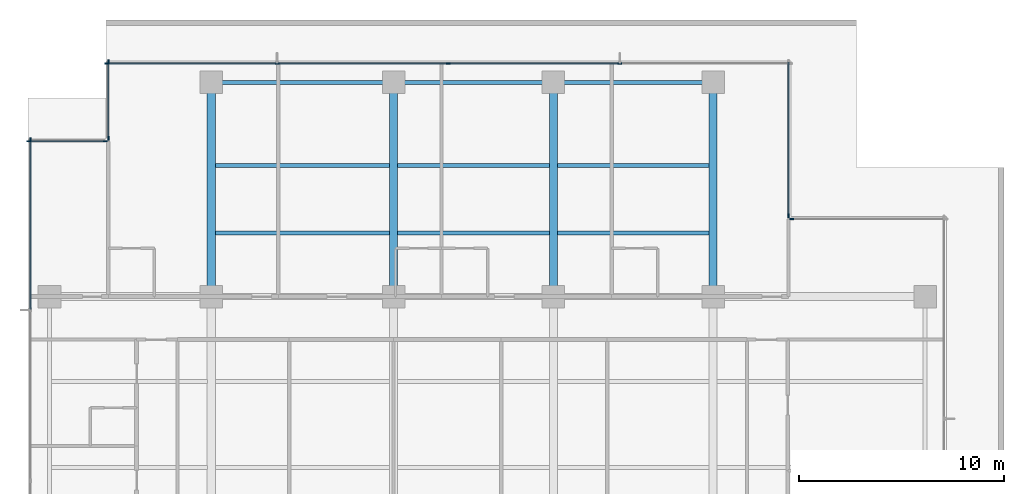
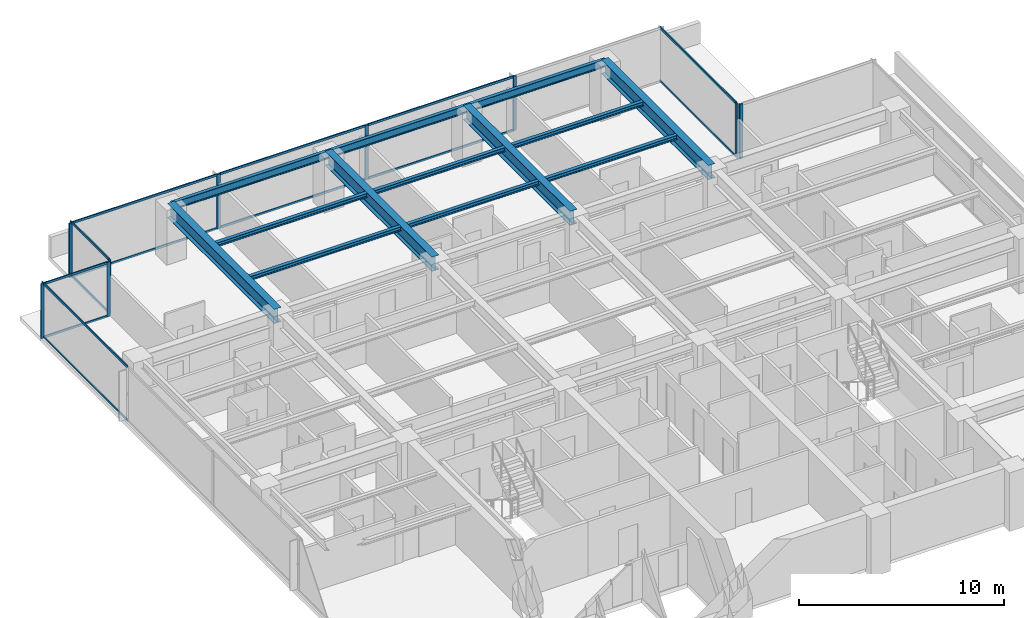
# One storey, part 4 of 16: 25 members, 13 beams, 6 elements without a shape of their own.
"""IFC4 building model written with IfcOpenShell, lengths in metres."""

from ifc_helpers import new_model, si_unit, direction, frame, origin, origin_2d, place, context, subcontext, project, spatial, rectangle, i_section, extrude, material, layer, layer_set, material_profile, profile_set, type_object, element, aggregate, save


model = new_model("IFC4")

# Units and contexts
model_context = context("Model", 3, precision=1e-05, world=origin(), true_north=direction((0.0, 1.0)))
body_context = subcontext(model_context, "Body", "Model", "MODEL_VIEW")
ifc_project = project(units=[si_unit("LENGTHUNIT", "METRE"), si_unit("AREAUNIT", "SQUARE_METRE"), si_unit("VOLUMEUNIT", "CUBIC_METRE"), si_unit("PLANEANGLEUNIT", "RADIAN"), si_unit("MASSUNIT", "GRAM", prefix="KILO")], contexts=[model_context])

# Site, building, storey
site_placement = place(None, origin())
site = spatial("IfcSite", under=ifc_project, at=site_placement, CompositionType="ELEMENT")
building_placement = place(site_placement, origin())
building = spatial("IfcBuilding", under=site, at=building_placement, Name="Qalmaran Belvedere Hotel", CompositionType="ELEMENT")
storey_placement = place(building_placement, frame((0.0, 0.0, 138.60009765625)))
storey = spatial("IfcBuildingStorey", under=building, at=storey_placement, Name="L34", CompositionType="ELEMENT", Elevation=138.60009765625)

# Beams
ifc_material_1 = material(Name="Steel S355JR", Category="steel")
ifc_material_profile_1 = material_profile(ifc_material_1, i_section(OverallWidth=0.201904296875, OverallDepth=0.2470703125, WebThickness=0.00732421875, FlangeThickness=0.010986328125, FilletRadius=0.011962890625, at=origin_2d()), Name="W250X49")
ifc_profile_set_1 = profile_set([ifc_material_profile_1], Name="Steel S355JR")
beam_type_1 = type_object("IfcBeamType", Name="BM-JST-W250X49", PredefinedType="JOIST", material=ifc_profile_set_1)
beam_1_placement = place(storey_placement, frame((20.498046875, 36.10009765625, 3.12646484375), z_axis=(1.0, 0.0, 0.0), x_axis=(0.0, 1.0, 0.0)))
element("IfcBeam", 1, at=beam_1_placement, inside=storey, type_object=beam_type_1, Name="L34 North Floor Joist 042", PredefinedType="JOIST", context=body_context, shape_type="SweptSolid", body=[
    extrude(i_section(OverallWidth=0.201904296875, OverallDepth=0.2470703125, WebThickness=0.00732421875, FlangeThickness=0.010986328125, FilletRadius=0.011962890625, at=origin_2d()), origin(), (0.0, 0.0, 1.0), 8.50390625),
])
for number, where, z_axis, x_axis, name in (
    (2, (29.39794921875, 36.10009765625, 3.12646484375), (1.0, 0.0, 0.0), (0.0, 1.0, 0.0), "L34 North Floor Joist 043"),
    (3, (37.197998046875, 36.10009765625, 3.12646484375), (1.0, 0.0, 0.0), (0.0, 1.0, 0.0), "L34 North Floor Joist 044"),
):
    element("IfcBeam", number, at=place(storey_placement, frame(where, z_axis=z_axis, x_axis=x_axis)), inside=storey, type_object=beam_type_1, Name=name, PredefinedType="JOIST", context=body_context, shape_type="SweptSolid", body=[
        extrude(i_section(OverallWidth=0.201904296875, OverallDepth=0.2470703125, WebThickness=0.00732421875, FlangeThickness=0.010986328125, FilletRadius=0.011962890625, at=origin_2d()), origin(), (0.0, 0.0, 1.0), 7.404052734375),
    ])
beam_2_placement = place(storey_placement, frame((20.498046875, 39.39990234375, 3.12646484375), z_axis=(1.0, 0.0, 0.0), x_axis=(0.0, 1.0, 0.0)))
element("IfcBeam", 4, at=beam_2_placement, inside=storey, type_object=beam_type_1, Name="L34 North Floor Joist 045", PredefinedType="JOIST", context=body_context, shape_type="SweptSolid", body=[
    extrude(i_section(OverallWidth=0.201904296875, OverallDepth=0.2470703125, WebThickness=0.00732421875, FlangeThickness=0.010986328125, FilletRadius=0.011962890625, at=origin_2d()), origin(), (0.0, 0.0, 1.0), 8.50390625),
])
for number, where, z_axis, x_axis, name in (
    (5, (29.39794921875, 39.39990234375, 3.12646484375), (1.0, 0.0, 0.0), (0.0, 1.0, 0.0), "L34 North Floor Joist 046"),
    (6, (37.197998046875, 39.39990234375, 3.12646484375), (1.0, 0.0, 0.0), (0.0, 1.0, 0.0), "L34 North Floor Joist 047"),
):
    element("IfcBeam", number, at=place(storey_placement, frame(where, z_axis=z_axis, x_axis=x_axis)), inside=storey, type_object=beam_type_1, Name=name, PredefinedType="JOIST", context=body_context, shape_type="SweptSolid", body=[
        extrude(i_section(OverallWidth=0.201904296875, OverallDepth=0.2470703125, WebThickness=0.00732421875, FlangeThickness=0.010986328125, FilletRadius=0.011962890625, at=origin_2d()), origin(), (0.0, 0.0, 1.0), 7.404052734375),
    ])
ifc_material_profile_2 = material_profile(ifc_material_1, i_section(OverallWidth=0.39990234375, OverallDepth=0.85498046875, WebThickness=0.018310546875, FlangeThickness=0.029296875, FilletRadius=0.02392578125, at=origin_2d()), Name="W840X299")
ifc_profile_set_2 = profile_set([ifc_material_profile_2], Name="Steel S355JR")
beam_type_2 = type_object("IfcBeamType", Name="BM-PG3-W840X299", PredefinedType="USERDEFINED", material=ifc_profile_set_2)
for number, where, z_axis, x_axis, name in (
    (7, (20.300048828125, 33.0, 2.822509765625), (0.0, 1.0, 0.0), (-1.0, 0.0, 0.0), "L34 North Bay Girder 15"),
    (8, (29.199951171875, 33.0, 2.822509765625), (0.0, 1.0, 0.0), (-1.0, 0.0, 0.0), "L34 North Bay Girder 17"),
    (9, (37.0, 33.0, 2.822509765625), (0.0, 1.0, 0.0), (-1.0, 0.0, 0.0), "L34 North Bay Girder 19"),
    (10, (44.800048828125, 33.0, 2.822509765625), (0.0, 1.0, 0.0), (-1.0, 0.0, 0.0), "L34 North Bay Girder 21"),
):
    element("IfcBeam", number, at=place(storey_placement, frame(where, z_axis=z_axis, x_axis=x_axis)), inside=storey, type_object=beam_type_2, Name=name, ObjectType="GIRDER", PredefinedType="USERDEFINED", context=body_context, shape_type="SweptSolid", body=[
        extrude(i_section(OverallWidth=0.39990234375, OverallDepth=0.85498046875, WebThickness=0.018310546875, FlangeThickness=0.029296875, FilletRadius=0.02392578125, at=origin_2d()), origin(), (0.0, 0.0, 1.0), 10.449951171875),
    ])
ifc_material_profile_3 = material_profile(ifc_material_1, i_section(OverallWidth=0.19189453125, OverallDepth=0.462890625, WebThickness=0.010498046875, FlangeThickness=0.017578125, FilletRadius=0.01611328125, at=origin_2d()), Name="W460X89")
ifc_profile_set_3 = profile_set([ifc_material_profile_3], Name="Steel S355JR")
beam_type_3 = type_object("IfcBeamType", Name="BM-SP2-W460X89", PredefinedType="SPANDREL", material=ifc_profile_set_3)
beam_3_placement = place(storey_placement, frame((20.300048828125, 43.449951171875, 3.018310546875), z_axis=(1.0, 0.0, 0.0), x_axis=(0.0, 1.0, 0.0)))
element("IfcBeam", 11, at=beam_3_placement, inside=storey, type_object=beam_type_3, Name="L34 Perimeter Spandrel 05", PredefinedType="SPANDREL", context=body_context, shape_type="SweptSolid", body=[
    extrude(i_section(OverallWidth=0.19189453125, OverallDepth=0.462890625, WebThickness=0.010498046875, FlangeThickness=0.017578125, FilletRadius=0.01611328125, at=origin_2d()), origin(), (0.0, 0.0, 1.0), 8.89990234375),
])
for number, where, z_axis, x_axis, name in (
    (12, (29.199951171875, 43.449951171875, 3.018310546875), (1.0, 0.0, 0.0), (0.0, 1.0, 0.0), "L34 Perimeter Spandrel 06"),
    (13, (37.0, 43.449951171875, 3.018310546875), (1.0, 0.0, 0.0), (0.0, 1.0, 0.0), "L34 Perimeter Spandrel 07"),
):
    element("IfcBeam", number, at=place(storey_placement, frame(where, z_axis=z_axis, x_axis=x_axis)), inside=storey, type_object=beam_type_3, Name=name, PredefinedType="SPANDREL", context=body_context, shape_type="SweptSolid", body=[
        extrude(i_section(OverallWidth=0.19189453125, OverallDepth=0.462890625, WebThickness=0.010498046875, FlangeThickness=0.017578125, FilletRadius=0.01611328125, at=origin_2d()), origin(), (0.0, 0.0, 1.0), 7.800048828125),
    ])

# Curtain wall, member
ifc_material_2 = material(Name="Anodised Bronze Aluminium", Category="aluminium")
ifc_layer = layer(ifc_material_2, 0.195068359375, Name="Anodised Bronze Aluminium")
ifc_layer_set = layer_set([ifc_layer], Name="Anodised Bronze Aluminium")
curtain_wall_type = type_object("IfcCurtainWallType", Name="CW4-TOWER-HIGHMID", PredefinedType="NOTDEFINED", material=ifc_layer_set)
curtain_wall_1_placement = place(storey_placement, origin())
curtain_wall_1 = element("IfcCurtainWall", 14, at=curtain_wall_1_placement, inside=storey, type_object=curtain_wall_type, Name="L34 Curtain Wall CW4", PredefinedType="NOTDEFINED")
ifc_material_profile_4 = material_profile(ifc_material_2, rectangle(XDim=0.070068359375, YDim=0.18994140625, at=origin_2d()), Name="CWM70X190")
ifc_profile_set_4 = profile_set([ifc_material_profile_4], Name="Anodised Bronze Aluminium")
member_type_1 = type_object("IfcMemberType", Name="CWM-70X190", PredefinedType="MULLION", material=ifc_profile_set_4)
member_1_placement = place(storey_placement, frame((48.635009765625, 36.780029296875, 0.0), z_axis=(0.0, 0.0, 1.0), x_axis=(0.0, -1.0, 0.0)))
member_1 = element("IfcMember", 15, at=member_1_placement, type_object=member_type_1, Name="CW4 mullion 2", PredefinedType="MULLION", context=body_context, shape_type="SweptSolid", body=[
    extrude(rectangle(XDim=0.070068359375, YDim=0.18994140625, at=origin_2d()), origin(), (0.0, 0.0, 1.0), 3.25),
])
aggregate(curtain_wall_1, [member_1])

curtain_wall_2_placement = place(storey_placement, origin())
curtain_wall_2 = element("IfcCurtainWall", 16, at=curtain_wall_2_placement, inside=storey, type_object=curtain_wall_type, Name="L34 Curtain Wall CW4", PredefinedType="NOTDEFINED")
member_2_placement = place(storey_placement, frame((48.47998046875, 36.93505859375, 0.0), z_axis=(0.0, 0.0, 1.0), x_axis=(-1.0, 0.0, 0.0)))
member_2 = element("IfcMember", 17, at=member_2_placement, type_object=member_type_1, Name="CW4 mullion 1", PredefinedType="MULLION", context=body_context, shape_type="SweptSolid", body=[
    extrude(rectangle(XDim=0.070068359375, YDim=0.18994140625, at=origin_2d()), origin(), (0.0, 0.0, 1.0), 3.25),
])

# Curtain wall, members
curtain_wall_3_placement = place(storey_placement, origin())
curtain_wall_3 = element("IfcCurtainWall", 18, at=curtain_wall_3_placement, inside=storey, type_object=curtain_wall_type, Name="L34 Curtain Wall CW4", PredefinedType="NOTDEFINED")
member_3_placement = place(storey_placement, frame((40.237548828125, 44.3798828125, 0.0), z_axis=(0.0, 0.0, 1.0), x_axis=(0.0, -1.0, 0.0)))
member_3 = element("IfcMember", 19, at=member_3_placement, type_object=member_type_1, Name="CW4 mullion 2", PredefinedType="MULLION", context=body_context, shape_type="SweptSolid", body=[
    extrude(rectangle(XDim=0.070068359375, YDim=0.18994140625, at=origin_2d()), origin(), (0.0, 0.0, 1.0), 3.25),
])
member_4_placement = place(storey_placement, frame((31.875, 44.3798828125, 0.0), z_axis=(0.0, 0.0, 1.0), x_axis=(0.0, -1.0, 0.0)))
member_4 = element("IfcMember", 20, at=member_4_placement, type_object=member_type_1, Name="CW4 mullion 3", PredefinedType="MULLION", context=body_context, shape_type="SweptSolid", body=[
    extrude(rectangle(XDim=0.070068359375, YDim=0.18994140625, at=origin_2d()), origin(), (0.0, 0.0, 1.0), 3.25),
])
member_5_placement = place(storey_placement, frame((23.512451171875, 44.3798828125, 0.0), z_axis=(0.0, 0.0, 1.0), x_axis=(0.0, -1.0, 0.0)))
member_5 = element("IfcMember", 21, at=member_5_placement, type_object=member_type_1, Name="CW4 mullion 4", PredefinedType="MULLION", context=body_context, shape_type="SweptSolid", body=[
    extrude(rectangle(XDim=0.070068359375, YDim=0.18994140625, at=origin_2d()), origin(), (0.0, 0.0, 1.0), 3.25),
])
member_6_placement = place(storey_placement, frame((15.18505859375, 44.3798828125, 0.0), z_axis=(0.0, 0.0, 1.0), x_axis=(0.0, -1.0, 0.0)))
member_6 = element("IfcMember", 22, at=member_6_placement, type_object=member_type_1, Name="CW4 mullion 5", PredefinedType="MULLION", context=body_context, shape_type="SweptSolid", body=[
    extrude(rectangle(XDim=0.070068359375, YDim=0.18994140625, at=origin_2d()), origin(), (0.0, 0.0, 1.0), 3.25),
])

curtain_wall_4_placement = place(storey_placement, origin())
curtain_wall_4 = element("IfcCurtainWall", 23, at=curtain_wall_4_placement, inside=storey, type_object=curtain_wall_type, Name="L34 Curtain Wall CW4", PredefinedType="NOTDEFINED")
member_7_placement = place(storey_placement, frame((15.27001953125, 44.465087890625, 0.0), z_axis=(0.0, 0.0, 1.0), x_axis=(1.0, 0.0, 0.0)))
member_7 = element("IfcMember", 24, at=member_7_placement, type_object=member_type_1, Name="CW4 mullion 1", PredefinedType="MULLION", context=body_context, shape_type="SweptSolid", body=[
    extrude(rectangle(XDim=0.070068359375, YDim=0.18994140625, at=origin_2d()), origin(), (0.0, 0.0, 1.0), 3.25),
])
member_8_placement = place(storey_placement, frame((15.27001953125, 40.735107421875, 0.0), z_axis=(0.0, 0.0, 1.0), x_axis=(1.0, 0.0, 0.0)))
member_8 = element("IfcMember", 25, at=member_8_placement, type_object=member_type_1, Name="CW4 mullion 2", PredefinedType="MULLION", context=body_context, shape_type="SweptSolid", body=[
    extrude(rectangle(XDim=0.070068359375, YDim=0.18994140625, at=origin_2d()), origin(), (0.0, 0.0, 1.0), 3.25),
])

curtain_wall_5_placement = place(storey_placement, origin())
curtain_wall_5 = element("IfcCurtainWall", 26, at=curtain_wall_5_placement, inside=storey, type_object=curtain_wall_type, Name="L34 Curtain Wall CW4", PredefinedType="NOTDEFINED")
member_9_placement = place(storey_placement, frame((15.114990234375, 40.580078125, 0.0), z_axis=(0.0, 0.0, 1.0), x_axis=(0.0, -1.0, 0.0)))
member_9 = element("IfcMember", 27, at=member_9_placement, type_object=member_type_1, Name="CW4 mullion 1", PredefinedType="MULLION", context=body_context, shape_type="SweptSolid", body=[
    extrude(rectangle(XDim=0.070068359375, YDim=0.18994140625, at=origin_2d()), origin(), (0.0, 0.0, 1.0), 3.25),
])
member_10_placement = place(storey_placement, frame((11.385009765625, 40.580078125, 0.0), z_axis=(0.0, 0.0, 1.0), x_axis=(0.0, -1.0, 0.0)))
member_10 = element("IfcMember", 28, at=member_10_placement, type_object=member_type_1, Name="CW4 mullion 2", PredefinedType="MULLION", context=body_context, shape_type="SweptSolid", body=[
    extrude(rectangle(XDim=0.070068359375, YDim=0.18994140625, at=origin_2d()), origin(), (0.0, 0.0, 1.0), 3.25),
])

# Curtain wall, member
curtain_wall_6_placement = place(storey_placement, origin())
curtain_wall_6 = element("IfcCurtainWall", 29, at=curtain_wall_6_placement, inside=storey, type_object=curtain_wall_type, Name="L34 Curtain Wall CW4", PredefinedType="NOTDEFINED")
member_11_placement = place(storey_placement, frame((11.469970703125, 40.6650390625, 0.0), z_axis=(0.0, 0.0, 1.0), x_axis=(1.0, 0.0, 0.0)))
member_11 = element("IfcMember", 30, at=member_11_placement, type_object=member_type_1, Name="CW4 mullion 1", PredefinedType="MULLION", context=body_context, shape_type="SweptSolid", body=[
    extrude(rectangle(XDim=0.070068359375, YDim=0.18994140625, at=origin_2d()), origin(), (0.0, 0.0, 1.0), 3.25),
])

# Member
ifc_material_profile_5 = material_profile(ifc_material_2, rectangle(XDim=0.06494140625, YDim=0.1298828125, at=origin_2d()), Name="CWT65X130")
ifc_profile_set_5 = profile_set([ifc_material_profile_5], Name="Anodised Bronze Aluminium")
member_type_2 = type_object("IfcMemberType", Name="CWT-65X130", PredefinedType="USERDEFINED", material=ifc_profile_set_5)
member_12_placement = place(storey_placement, frame((48.47998046875, 36.969970703125, 0.032470703125), z_axis=(0.0, 1.0, 0.0), x_axis=(-1.0, 0.0, 0.0)))
member_12 = element("IfcMember", 31, at=member_12_placement, type_object=member_type_2, Name="CW4 transom 1.1", ObjectType="TRANSOM", PredefinedType="USERDEFINED", context=body_context, shape_type="SweptSolid", body=[
    extrude(rectangle(XDim=0.06494140625, YDim=0.1298828125, at=origin_2d()), origin(), (0.0, 0.0, 1.0), 7.4599609375),
])

member_13_placement = place(storey_placement, frame((48.47998046875, 36.969970703125, 3.21728515625), z_axis=(0.0, 1.0, 0.0), x_axis=(-1.0, 0.0, 0.0)))
member_13 = element("IfcMember", 32, at=member_13_placement, type_object=member_type_2, Name="CW4 transom 1.2", ObjectType="TRANSOM", PredefinedType="USERDEFINED", context=body_context, shape_type="SweptSolid", body=[
    extrude(rectangle(XDim=0.06494140625, YDim=0.1298828125, at=origin_2d()), origin(), (0.0, 0.0, 1.0), 7.4599609375),
])

aggregate(curtain_wall_2, [member_2, member_12, member_13])

member_14_placement = place(storey_placement, frame((40.202392578125, 44.3798828125, 0.032470703125), z_axis=(-1.0, 0.0, 0.0), x_axis=(0.0, -1.0, 0.0)))
member_14 = element("IfcMember", 33, at=member_14_placement, type_object=member_type_2, Name="CW4 transom 2.1", ObjectType="TRANSOM", PredefinedType="USERDEFINED", context=body_context, shape_type="SweptSolid", body=[
    extrude(rectangle(XDim=0.06494140625, YDim=0.1298828125, at=origin_2d()), origin(), (0.0, 0.0, 1.0), 8.29248046875),
])

member_15_placement = place(storey_placement, frame((40.202392578125, 44.3798828125, 3.21728515625), z_axis=(-1.0, 0.0, 0.0), x_axis=(0.0, -1.0, 0.0)))
member_15 = element("IfcMember", 34, at=member_15_placement, type_object=member_type_2, Name="CW4 transom 2.2", ObjectType="TRANSOM", PredefinedType="USERDEFINED", context=body_context, shape_type="SweptSolid", body=[
    extrude(rectangle(XDim=0.06494140625, YDim=0.1298828125, at=origin_2d()), origin(), (0.0, 0.0, 1.0), 8.29248046875),
])

member_16_placement = place(storey_placement, frame((31.840087890625, 44.3798828125, 0.032470703125), z_axis=(-1.0, 0.0, 0.0), x_axis=(0.0, -1.0, 0.0)))
member_16 = element("IfcMember", 35, at=member_16_placement, type_object=member_type_2, Name="CW4 transom 3.1", ObjectType="TRANSOM", PredefinedType="USERDEFINED", context=body_context, shape_type="SweptSolid", body=[
    extrude(rectangle(XDim=0.06494140625, YDim=0.1298828125, at=origin_2d()), origin(), (0.0, 0.0, 1.0), 8.29248046875),
])

member_17_placement = place(storey_placement, frame((31.840087890625, 44.3798828125, 3.21728515625), z_axis=(-1.0, 0.0, 0.0), x_axis=(0.0, -1.0, 0.0)))
member_17 = element("IfcMember", 36, at=member_17_placement, type_object=member_type_2, Name="CW4 transom 3.2", ObjectType="TRANSOM", PredefinedType="USERDEFINED", context=body_context, shape_type="SweptSolid", body=[
    extrude(rectangle(XDim=0.06494140625, YDim=0.1298828125, at=origin_2d()), origin(), (0.0, 0.0, 1.0), 8.29248046875),
])

member_18_placement = place(storey_placement, frame((23.4775390625, 44.3798828125, 0.032470703125), z_axis=(-1.0, 0.0, 0.0), x_axis=(0.0, -1.0, 0.0)))
member_18 = element("IfcMember", 37, at=member_18_placement, type_object=member_type_2, Name="CW4 transom 4.1", ObjectType="TRANSOM", PredefinedType="USERDEFINED", context=body_context, shape_type="SweptSolid", body=[
    extrude(rectangle(XDim=0.06494140625, YDim=0.1298828125, at=origin_2d()), origin(), (0.0, 0.0, 1.0), 8.257568359375),
])

member_19_placement = place(storey_placement, frame((23.4775390625, 44.3798828125, 3.21728515625), z_axis=(-1.0, 0.0, 0.0), x_axis=(0.0, -1.0, 0.0)))
member_19 = element("IfcMember", 38, at=member_19_placement, type_object=member_type_2, Name="CW4 transom 4.2", ObjectType="TRANSOM", PredefinedType="USERDEFINED", context=body_context, shape_type="SweptSolid", body=[
    extrude(rectangle(XDim=0.06494140625, YDim=0.1298828125, at=origin_2d()), origin(), (0.0, 0.0, 1.0), 8.257568359375),
])

aggregate(curtain_wall_3, [member_3, member_4, member_5, member_6, member_14, member_15, member_16, member_17, member_18, member_19])

member_20_placement = place(storey_placement, frame((15.27001953125, 44.429931640625, 0.032470703125), z_axis=(0.0, -1.0, 0.0), x_axis=(1.0, 0.0, 0.0)))
member_20 = element("IfcMember", 39, at=member_20_placement, type_object=member_type_2, Name="CW4 transom 1.1", ObjectType="TRANSOM", PredefinedType="USERDEFINED", context=body_context, shape_type="SweptSolid", body=[
    extrude(rectangle(XDim=0.06494140625, YDim=0.1298828125, at=origin_2d()), origin(), (0.0, 0.0, 1.0), 3.659912109375),
])

member_21_placement = place(storey_placement, frame((15.27001953125, 44.429931640625, 3.21728515625), z_axis=(0.0, -1.0, 0.0), x_axis=(1.0, 0.0, 0.0)))
member_21 = element("IfcMember", 40, at=member_21_placement, type_object=member_type_2, Name="CW4 transom 1.2", ObjectType="TRANSOM", PredefinedType="USERDEFINED", context=body_context, shape_type="SweptSolid", body=[
    extrude(rectangle(XDim=0.06494140625, YDim=0.1298828125, at=origin_2d()), origin(), (0.0, 0.0, 1.0), 3.659912109375),
])

aggregate(curtain_wall_4, [member_7, member_8, member_20, member_21])

member_22_placement = place(storey_placement, frame((15.080078125, 40.580078125, 0.032470703125), z_axis=(-1.0, 0.0, 0.0), x_axis=(0.0, -1.0, 0.0)))
member_22 = element("IfcMember", 41, at=member_22_placement, type_object=member_type_2, Name="CW4 transom 1.1", ObjectType="TRANSOM", PredefinedType="USERDEFINED", context=body_context, shape_type="SweptSolid", body=[
    extrude(rectangle(XDim=0.06494140625, YDim=0.1298828125, at=origin_2d()), origin(), (0.0, 0.0, 1.0), 3.66015625),
])

member_23_placement = place(storey_placement, frame((15.080078125, 40.580078125, 3.21728515625), z_axis=(-1.0, 0.0, 0.0), x_axis=(0.0, -1.0, 0.0)))
member_23 = element("IfcMember", 42, at=member_23_placement, type_object=member_type_2, Name="CW4 transom 1.2", ObjectType="TRANSOM", PredefinedType="USERDEFINED", context=body_context, shape_type="SweptSolid", body=[
    extrude(rectangle(XDim=0.06494140625, YDim=0.1298828125, at=origin_2d()), origin(), (0.0, 0.0, 1.0), 3.66015625),
])

aggregate(curtain_wall_5, [member_9, member_10, member_22, member_23])

member_24_placement = place(storey_placement, frame((11.469970703125, 40.6298828125, 0.032470703125), z_axis=(0.0, -1.0, 0.0), x_axis=(1.0, 0.0, 0.0)))
member_24 = element("IfcMember", 43, at=member_24_placement, type_object=member_type_2, Name="CW4 transom 1.1", ObjectType="TRANSOM", PredefinedType="USERDEFINED", context=body_context, shape_type="SweptSolid", body=[
    extrude(rectangle(XDim=0.06494140625, YDim=0.1298828125, at=origin_2d()), origin(), (0.0, 0.0, 1.0), 8.244873046875),
])

member_25_placement = place(storey_placement, frame((11.469970703125, 40.6298828125, 3.21728515625), z_axis=(0.0, -1.0, 0.0), x_axis=(1.0, 0.0, 0.0)))
member_25 = element("IfcMember", 44, at=member_25_placement, type_object=member_type_2, Name="CW4 transom 1.2", ObjectType="TRANSOM", PredefinedType="USERDEFINED", context=body_context, shape_type="SweptSolid", body=[
    extrude(rectangle(XDim=0.06494140625, YDim=0.1298828125, at=origin_2d()), origin(), (0.0, 0.0, 1.0), 8.244873046875),
])

aggregate(curtain_wall_6, [member_11, member_24, member_25])

save(model, "model.ifc")
